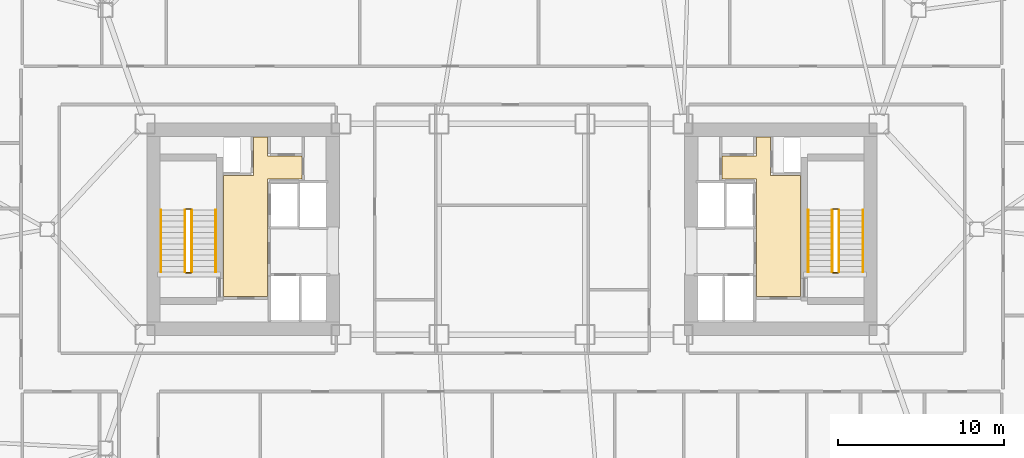
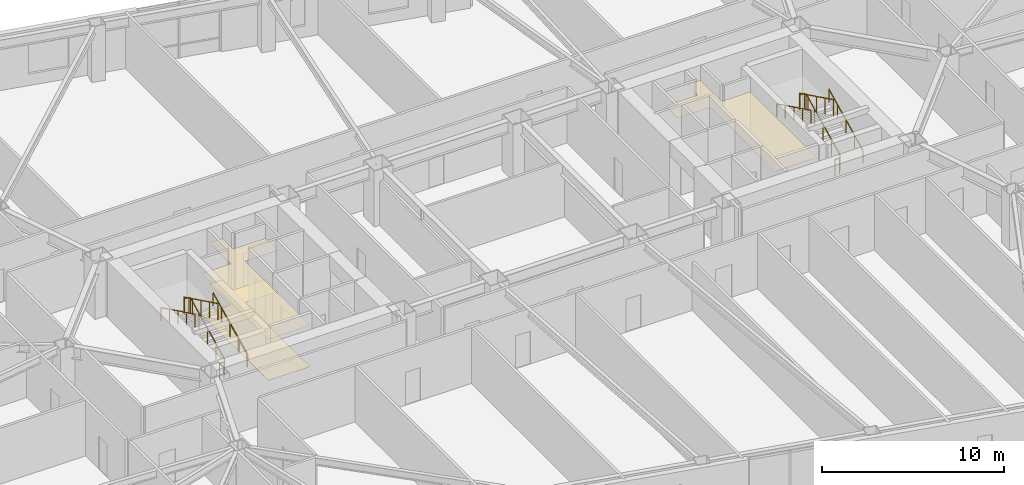
# One storey, part 21 of 21: 12 railings, 3 coverings.
"""IFC4 building model written with IfcOpenShell, lengths in metres."""

from ifc_helpers import new_model, si_unit, direction, frame, origin, origin_2d, place, context, subcontext, project, spatial, polyline, rectangle, outline, extrude, material, layer, layer_set, type_object, element, save


model = new_model("IFC4")

# Units and contexts
model_context = context("Model", 3, precision=1e-05, world=origin(), true_north=direction((0.0, 1.0)))
body_context = subcontext(model_context, "Body", "Model", "MODEL_VIEW")
ifc_project = project(units=[si_unit("LENGTHUNIT", "METRE"), si_unit("AREAUNIT", "SQUARE_METRE"), si_unit("VOLUMEUNIT", "CUBIC_METRE"), si_unit("PLANEANGLEUNIT", "RADIAN"), si_unit("MASSUNIT", "GRAM", prefix="KILO")], contexts=[model_context])

# Site, building, storey
site_placement = place(None, origin())
site = spatial("IfcSite", under=ifc_project, at=site_placement, CompositionType="ELEMENT")
building_placement = place(site_placement, origin())
building = spatial("IfcBuilding", under=site, at=building_placement, Name="Tavrogorsk Clinical Tower", CompositionType="ELEMENT")
storey_placement = place(building_placement, frame((0.0, 0.0, 71.39990234375)))
storey = spatial("IfcBuildingStorey", under=building, at=storey_placement, Name="L15", CompositionType="ELEMENT", Elevation=71.39990234375)

# Coverings
ifc_material_1 = material(Name="Antibacterial micro-perforated aluminium ceiling", Category="aluminium")
ifc_layer_1 = layer(ifc_material_1, 0.014892578125)
ifc_layer_set_1 = layer_set([ifc_layer_1], Name="Antibacterial micro-perforated aluminium ceiling")
covering_type_1 = type_object("IfcCoveringType", Name="ClinicalCeiling_15", PredefinedType="CEILING", material=ifc_layer_set_1)
covering_1_placement = place(storey_placement, frame((0.0, 0.0, 2.75)))
element("IfcCovering", 1, at=covering_1_placement, inside=storey, type_object=covering_type_1, Name="Core West Firefighting Lift Lobby Acoustic Ceiling", PredefinedType="CEILING", context=body_context, shape_type="SweptSolid", body=[
    extrude(outline(polyline([(-17.3798828125, -4.06005859375), (-17.3798828125, 3.239990234375), (-15.56005859375, 3.239990234375), (-15.56005859375, 5.56005859375), (-14.719970703125, 5.56005859375), (-14.719970703125, 4.39990234375), (-12.659912109375, 4.39990234375), (-12.659912109375, 3.0400390625), (-14.719970703125, 3.0400390625), (-14.719970703125, -4.06005859375), (-17.3798828125, -4.06005859375)])), origin(), (0.0, 0.0, 1.0), 0.01513671875),
])
covering_2_placement = place(storey_placement, frame((0.0, 0.0, 2.75)))
element("IfcCovering", 2, at=covering_2_placement, inside=storey, type_object=covering_type_1, Name="Core East Firefighting Lift Lobby Acoustic Ceiling", PredefinedType="CEILING", context=body_context, shape_type="SweptSolid", body=[
    extrude(outline(polyline([(14.719970703125, 3.0400390625), (12.659912109375, 3.0400390625), (12.659912109375, 4.39990234375), (14.719970703125, 4.39990234375), (14.719970703125, 5.56005859375), (15.56005859375, 5.56005859375), (15.56005859375, 3.239990234375), (17.3798828125, 3.239990234375), (17.3798828125, -4.06005859375), (14.719970703125, -4.06005859375), (14.719970703125, 3.0400390625)])), origin(), (0.0, 0.0, 1.0), 0.01513671875),
])
ifc_material_2 = material(Name="Homogeneous medical conductive PVC flooring")
ifc_layer_2 = layer(ifc_material_2, 0.008056640625)
ifc_layer_set_2 = layer_set([ifc_layer_2], Name="Homogeneous medical conductive PVC flooring")
covering_type_2 = type_object("IfcCoveringType", Name="ResilientVinylFloor_8", PredefinedType="FLOORING", material=ifc_layer_set_2)
covering_3_placement = place(storey_placement, origin())
element("IfcCovering", 3, at=covering_3_placement, inside=storey, type_object=covering_type_2, Name="Core West Firefighting Lift Lobby Conductive Vinyl Flooring", PredefinedType="FLOORING", context=body_context, shape_type="SweptSolid", body=[
    extrude(outline(polyline([(-17.3798828125, -4.06005859375), (-17.3798828125, 3.239990234375), (-15.56005859375, 3.239990234375), (-15.56005859375, 5.56005859375), (-14.719970703125, 5.56005859375), (-14.719970703125, 4.39990234375), (-12.659912109375, 4.39990234375), (-12.659912109375, 3.0400390625), (-14.719970703125, 3.0400390625), (-14.719970703125, -4.06005859375), (-17.3798828125, -4.06005859375)])), origin(), (0.0, 0.0, 1.0), 0.008056640625),
])

# Railings
ifc_material_3 = material(Name="Galvanised steel S355 safety stairwell guard", Category="steel")
ifc_layer_3 = layer(ifc_material_3, 0.06005859375)
ifc_layer_set_3 = layer_set([ifc_layer_3], Name="Galvanised steel S355 safety stairwell guard")
railing_type_1 = type_object("IfcRailingType", Name="StairGuard_1150", PredefinedType="GUARDRAIL", material=ifc_layer_set_3)
railing_1_placement = place(storey_placement, frame((-19.300048828125, -2.574951171875, 0.166748046875)))
element("IfcRailing", 4, at=railing_1_placement, inside=storey, type_object=railing_type_1, Name="L15 ST-W stair guard 1", PredefinedType="GUARDRAIL", context=body_context, shape_type="SweptSolid", body=[
    extrude(rectangle(XDim=0.048095703125, YDim=0.048095703125, at=origin_2d()), frame((0.0, 0.0, 1.076171875), z_axis=(0.0, 0.897927990467, 0.440142390523), x_axis=(-1.0, 0.0, 0.0)), (0.0, 0.0, 1.0), 4.1650390625),
    extrude(rectangle(XDim=0.0419921875, YDim=0.0419921875, at=origin_2d()), origin(), (0.0, 0.0, 1.0), 1.052001953125),
    extrude(rectangle(XDim=0.0419921875, YDim=0.0419921875, at=origin_2d()), frame((0.0, 0.93505859375, 0.458251953125)), (0.0, 0.0, 1.0), 1.052001953125),
    extrude(rectangle(XDim=0.0419921875, YDim=0.0419921875, at=origin_2d()), frame((0.0, 1.8701171875, 0.91650390625)), (0.0, 0.0, 1.0), 1.052001953125),
    extrude(rectangle(XDim=0.0419921875, YDim=0.0419921875, at=origin_2d()), frame((0.0, 2.804931640625, 1.375)), (0.0, 0.0, 1.0), 1.052001953125),
    extrude(rectangle(XDim=0.0419921875, YDim=0.0419921875, at=origin_2d()), frame((0.0, 3.739990234375, 1.833251953125)), (0.0, 0.0, 1.0), 1.052001953125),
])
railing_2_placement = place(storey_placement, frame((-19.35009765625, 1.215087890625, 2.0)))
element("IfcRailing", 5, at=railing_2_placement, inside=storey, type_object=railing_type_1, Name="L15 ST-W stair guard 2", PredefinedType="GUARDRAIL", context=body_context, shape_type="SweptSolid", body=[
    extrude(rectangle(XDim=0.048095703125, YDim=0.048095703125, at=origin_2d()), frame((0.0, 0.0, 1.076171875), z_axis=(-1.0, 0.0, 0.0), x_axis=(0.0, -1.0, 0.0)), (0.0, 0.0, 1.0), 0.2998046875),
    extrude(rectangle(XDim=0.0419921875, YDim=0.0419921875, at=origin_2d()), origin(), (0.0, 0.0, 1.0), 1.052001953125),
    extrude(rectangle(XDim=0.0419921875, YDim=0.0419921875, at=origin_2d()), frame((-0.2998046875, 0.0, 0.0)), (0.0, 0.0, 1.0), 1.052001953125),
])
railing_3_placement = place(storey_placement, frame((-19.699951171875, 1.1650390625, 2.166748046875)))
element("IfcRailing", 6, at=railing_3_placement, inside=storey, type_object=railing_type_1, Name="L15 ST-W stair guard 3", PredefinedType="GUARDRAIL", context=body_context, shape_type="SweptSolid", body=[
    extrude(rectangle(XDim=0.048095703125, YDim=0.048095703125, at=origin_2d()), frame((0.0, 0.0, 1.076171875), z_axis=(0.0, -0.897927990467, 0.440142390523), x_axis=(1.0, 0.0, 0.0)), (0.0, 0.0, 1.0), 4.1650390625),
    extrude(rectangle(XDim=0.0419921875, YDim=0.0419921875, at=origin_2d()), origin(), (0.0, 0.0, 1.0), 1.052001953125),
    extrude(rectangle(XDim=0.0419921875, YDim=0.0419921875, at=origin_2d()), frame((0.0, -0.93505859375, 0.458251953125)), (0.0, 0.0, 1.0), 1.052001953125),
    extrude(rectangle(XDim=0.0419921875, YDim=0.0419921875, at=origin_2d()), frame((0.0, -1.8701171875, 0.91650390625)), (0.0, 0.0, 1.0), 1.052001953125),
    extrude(rectangle(XDim=0.0419921875, YDim=0.0419921875, at=origin_2d()), frame((0.0, -2.804931640625, 1.375)), (0.0, 0.0, 1.0), 1.052001953125),
    extrude(rectangle(XDim=0.0419921875, YDim=0.0419921875, at=origin_2d()), frame((0.0, -3.739990234375, 1.833251953125)), (0.0, 0.0, 1.0), 1.052001953125),
])
railing_4_placement = place(storey_placement, frame((-19.35009765625, -2.625, 0.0)))
element("IfcRailing", 7, at=railing_4_placement, inside=storey, type_object=railing_type_1, Name="L15 ST-W stair guard 4", PredefinedType="GUARDRAIL", context=body_context, shape_type="SweptSolid", body=[
    extrude(rectangle(XDim=0.048095703125, YDim=0.048095703125, at=origin_2d()), frame((0.0, 0.0, 1.076171875), z_axis=(-1.0, 0.0, 0.0), x_axis=(0.0, -1.0, 0.0)), (0.0, 0.0, 1.0), 0.2998046875),
    extrude(rectangle(XDim=0.0419921875, YDim=0.0419921875, at=origin_2d()), origin(), (0.0, 0.0, 1.0), 1.052001953125),
    extrude(rectangle(XDim=0.0419921875, YDim=0.0419921875, at=origin_2d()), frame((-0.2998046875, 0.0, 0.0)), (0.0, 0.0, 1.0), 1.052001953125),
])
railing_5_placement = place(storey_placement, frame((19.699951171875, -2.574951171875, 0.166748046875)))
element("IfcRailing", 8, at=railing_5_placement, inside=storey, type_object=railing_type_1, Name="L15 ST-E stair guard 1", PredefinedType="GUARDRAIL", context=body_context, shape_type="SweptSolid", body=[
    extrude(rectangle(XDim=0.048095703125, YDim=0.048095703125, at=origin_2d()), frame((0.0, 0.0, 1.076171875), z_axis=(0.0, 0.897927990467, 0.440142390523), x_axis=(-1.0, 0.0, 0.0)), (0.0, 0.0, 1.0), 4.1650390625),
    extrude(rectangle(XDim=0.0419921875, YDim=0.0419921875, at=origin_2d()), origin(), (0.0, 0.0, 1.0), 1.052001953125),
    extrude(rectangle(XDim=0.0419921875, YDim=0.0419921875, at=origin_2d()), frame((0.0, 0.93505859375, 0.458251953125)), (0.0, 0.0, 1.0), 1.052001953125),
    extrude(rectangle(XDim=0.0419921875, YDim=0.0419921875, at=origin_2d()), frame((0.0, 1.8701171875, 0.91650390625)), (0.0, 0.0, 1.0), 1.052001953125),
    extrude(rectangle(XDim=0.0419921875, YDim=0.0419921875, at=origin_2d()), frame((0.0, 2.804931640625, 1.375)), (0.0, 0.0, 1.0), 1.052001953125),
    extrude(rectangle(XDim=0.0419921875, YDim=0.0419921875, at=origin_2d()), frame((0.0, 3.739990234375, 1.833251953125)), (0.0, 0.0, 1.0), 1.052001953125),
])
railing_6_placement = place(storey_placement, frame((19.64990234375, 1.215087890625, 2.0)))
element("IfcRailing", 9, at=railing_6_placement, inside=storey, type_object=railing_type_1, Name="L15 ST-E stair guard 2", PredefinedType="GUARDRAIL", context=body_context, shape_type="SweptSolid", body=[
    extrude(rectangle(XDim=0.048095703125, YDim=0.048095703125, at=origin_2d()), frame((0.0, 0.0, 1.076171875), z_axis=(-1.0, 0.0, 0.0), x_axis=(0.0, -1.0, 0.0)), (0.0, 0.0, 1.0), 0.2998046875),
    extrude(rectangle(XDim=0.0419921875, YDim=0.0419921875, at=origin_2d()), origin(), (0.0, 0.0, 1.0), 1.052001953125),
    extrude(rectangle(XDim=0.0419921875, YDim=0.0419921875, at=origin_2d()), frame((-0.2998046875, 0.0, 0.0)), (0.0, 0.0, 1.0), 1.052001953125),
])
railing_7_placement = place(storey_placement, frame((19.300048828125, 1.1650390625, 2.166748046875)))
element("IfcRailing", 10, at=railing_7_placement, inside=storey, type_object=railing_type_1, Name="L15 ST-E stair guard 3", PredefinedType="GUARDRAIL", context=body_context, shape_type="SweptSolid", body=[
    extrude(rectangle(XDim=0.048095703125, YDim=0.048095703125, at=origin_2d()), frame((0.0, 0.0, 1.076171875), z_axis=(0.0, -0.897927990467, 0.440142390523), x_axis=(1.0, 0.0, 0.0)), (0.0, 0.0, 1.0), 4.1650390625),
    extrude(rectangle(XDim=0.0419921875, YDim=0.0419921875, at=origin_2d()), origin(), (0.0, 0.0, 1.0), 1.052001953125),
    extrude(rectangle(XDim=0.0419921875, YDim=0.0419921875, at=origin_2d()), frame((0.0, -0.93505859375, 0.458251953125)), (0.0, 0.0, 1.0), 1.052001953125),
    extrude(rectangle(XDim=0.0419921875, YDim=0.0419921875, at=origin_2d()), frame((0.0, -1.8701171875, 0.91650390625)), (0.0, 0.0, 1.0), 1.052001953125),
    extrude(rectangle(XDim=0.0419921875, YDim=0.0419921875, at=origin_2d()), frame((0.0, -2.804931640625, 1.375)), (0.0, 0.0, 1.0), 1.052001953125),
    extrude(rectangle(XDim=0.0419921875, YDim=0.0419921875, at=origin_2d()), frame((0.0, -3.739990234375, 1.833251953125)), (0.0, 0.0, 1.0), 1.052001953125),
])
railing_8_placement = place(storey_placement, frame((19.64990234375, -2.625, 0.0)))
element("IfcRailing", 11, at=railing_8_placement, inside=storey, type_object=railing_type_1, Name="L15 ST-E stair guard 4", PredefinedType="GUARDRAIL", context=body_context, shape_type="SweptSolid", body=[
    extrude(rectangle(XDim=0.048095703125, YDim=0.048095703125, at=origin_2d()), frame((0.0, 0.0, 1.076171875), z_axis=(-1.0, 0.0, 0.0), x_axis=(0.0, -1.0, 0.0)), (0.0, 0.0, 1.0), 0.2998046875),
    extrude(rectangle(XDim=0.0419921875, YDim=0.0419921875, at=origin_2d()), origin(), (0.0, 0.0, 1.0), 1.052001953125),
    extrude(rectangle(XDim=0.0419921875, YDim=0.0419921875, at=origin_2d()), frame((-0.2998046875, 0.0, 0.0)), (0.0, 0.0, 1.0), 1.052001953125),
])
ifc_material_4 = material(Name="Stainless steel AISI 304 tubular handrail", Category="steel")
ifc_layer_4 = layer(ifc_material_4, 0.050048828125)
ifc_layer_set_4 = layer_set([ifc_layer_4], Name="Stainless steel AISI 304 tubular handrail")
railing_type_2 = type_object("IfcRailingType", Name="StairHandrail_920", PredefinedType="HANDRAIL", material=ifc_layer_set_4)
railing_9_placement = place(storey_placement, frame((-17.85009765625, -2.574951171875, 0.166748046875)))
element("IfcRailing", 12, at=railing_9_placement, inside=storey, type_object=railing_type_2, Name="L15 ST-W stair handrail 1", PredefinedType="HANDRAIL", context=body_context, shape_type="SweptSolid", body=[
    extrude(rectangle(XDim=0.048095703125, YDim=0.048095703125, at=origin_2d()), frame((0.0, 0.0, 0.8759765625), z_axis=(0.0, 0.897927990467, 0.440142390523), x_axis=(-1.0, 0.0, 0.0)), (0.0, 0.0, 1.0), 4.1650390625),
    extrude(rectangle(XDim=0.0419921875, YDim=0.0419921875, at=origin_2d()), origin(), (0.0, 0.0, 1.0), 0.851806640625),
    extrude(rectangle(XDim=0.0419921875, YDim=0.0419921875, at=origin_2d()), frame((0.0, 0.93505859375, 0.458251953125)), (0.0, 0.0, 1.0), 0.851806640625),
    extrude(rectangle(XDim=0.0419921875, YDim=0.0419921875, at=origin_2d()), frame((0.0, 1.8701171875, 0.91650390625)), (0.0, 0.0, 1.0), 0.851806640625),
    extrude(rectangle(XDim=0.0419921875, YDim=0.0419921875, at=origin_2d()), frame((0.0, 2.804931640625, 1.375)), (0.0, 0.0, 1.0), 0.851806640625),
    extrude(rectangle(XDim=0.0419921875, YDim=0.0419921875, at=origin_2d()), frame((0.0, 3.739990234375, 1.833251953125)), (0.0, 0.0, 1.0), 0.851806640625),
])
railing_10_placement = place(storey_placement, frame((-21.14990234375, 1.1650390625, 2.166748046875)))
element("IfcRailing", 13, at=railing_10_placement, inside=storey, type_object=railing_type_2, Name="L15 ST-W stair handrail 2", PredefinedType="HANDRAIL", context=body_context, shape_type="SweptSolid", body=[
    extrude(rectangle(XDim=0.048095703125, YDim=0.048095703125, at=origin_2d()), frame((0.0, 0.0, 0.8759765625), z_axis=(0.0, -0.897927990467, 0.440142390523), x_axis=(1.0, 0.0, 0.0)), (0.0, 0.0, 1.0), 4.1650390625),
    extrude(rectangle(XDim=0.0419921875, YDim=0.0419921875, at=origin_2d()), origin(), (0.0, 0.0, 1.0), 0.851806640625),
    extrude(rectangle(XDim=0.0419921875, YDim=0.0419921875, at=origin_2d()), frame((0.0, -0.93505859375, 0.458251953125)), (0.0, 0.0, 1.0), 0.851806640625),
    extrude(rectangle(XDim=0.0419921875, YDim=0.0419921875, at=origin_2d()), frame((0.0, -1.8701171875, 0.91650390625)), (0.0, 0.0, 1.0), 0.851806640625),
    extrude(rectangle(XDim=0.0419921875, YDim=0.0419921875, at=origin_2d()), frame((0.0, -2.804931640625, 1.375)), (0.0, 0.0, 1.0), 0.851806640625),
    extrude(rectangle(XDim=0.0419921875, YDim=0.0419921875, at=origin_2d()), frame((0.0, -3.739990234375, 1.833251953125)), (0.0, 0.0, 1.0), 0.851806640625),
])
railing_11_placement = place(storey_placement, frame((21.14990234375, -2.574951171875, 0.166748046875)))
element("IfcRailing", 14, at=railing_11_placement, inside=storey, type_object=railing_type_2, Name="L15 ST-E stair handrail 1", PredefinedType="HANDRAIL", context=body_context, shape_type="SweptSolid", body=[
    extrude(rectangle(XDim=0.048095703125, YDim=0.048095703125, at=origin_2d()), frame((0.0, 0.0, 0.8759765625), z_axis=(0.0, 0.897927990467, 0.440142390523), x_axis=(-1.0, 0.0, 0.0)), (0.0, 0.0, 1.0), 4.1650390625),
    extrude(rectangle(XDim=0.0419921875, YDim=0.0419921875, at=origin_2d()), origin(), (0.0, 0.0, 1.0), 0.851806640625),
    extrude(rectangle(XDim=0.0419921875, YDim=0.0419921875, at=origin_2d()), frame((0.0, 0.93505859375, 0.458251953125)), (0.0, 0.0, 1.0), 0.851806640625),
    extrude(rectangle(XDim=0.0419921875, YDim=0.0419921875, at=origin_2d()), frame((0.0, 1.8701171875, 0.91650390625)), (0.0, 0.0, 1.0), 0.851806640625),
    extrude(rectangle(XDim=0.0419921875, YDim=0.0419921875, at=origin_2d()), frame((0.0, 2.804931640625, 1.375)), (0.0, 0.0, 1.0), 0.851806640625),
    extrude(rectangle(XDim=0.0419921875, YDim=0.0419921875, at=origin_2d()), frame((0.0, 3.739990234375, 1.833251953125)), (0.0, 0.0, 1.0), 0.851806640625),
])
railing_12_placement = place(storey_placement, frame((17.85009765625, 1.1650390625, 2.166748046875)))
element("IfcRailing", 15, at=railing_12_placement, inside=storey, type_object=railing_type_2, Name="L15 ST-E stair handrail 2", PredefinedType="HANDRAIL", context=body_context, shape_type="SweptSolid", body=[
    extrude(rectangle(XDim=0.048095703125, YDim=0.048095703125, at=origin_2d()), frame((0.0, 0.0, 0.8759765625), z_axis=(0.0, -0.897927990467, 0.440142390523), x_axis=(1.0, 0.0, 0.0)), (0.0, 0.0, 1.0), 4.1650390625),
    extrude(rectangle(XDim=0.0419921875, YDim=0.0419921875, at=origin_2d()), origin(), (0.0, 0.0, 1.0), 0.851806640625),
    extrude(rectangle(XDim=0.0419921875, YDim=0.0419921875, at=origin_2d()), frame((0.0, -0.93505859375, 0.458251953125)), (0.0, 0.0, 1.0), 0.851806640625),
    extrude(rectangle(XDim=0.0419921875, YDim=0.0419921875, at=origin_2d()), frame((0.0, -1.8701171875, 0.91650390625)), (0.0, 0.0, 1.0), 0.851806640625),
    extrude(rectangle(XDim=0.0419921875, YDim=0.0419921875, at=origin_2d()), frame((0.0, -2.804931640625, 1.375)), (0.0, 0.0, 1.0), 0.851806640625),
    extrude(rectangle(XDim=0.0419921875, YDim=0.0419921875, at=origin_2d()), frame((0.0, -3.739990234375, 1.833251953125)), (0.0, 0.0, 1.0), 0.851806640625),
])

save(model, "model.ifc")
